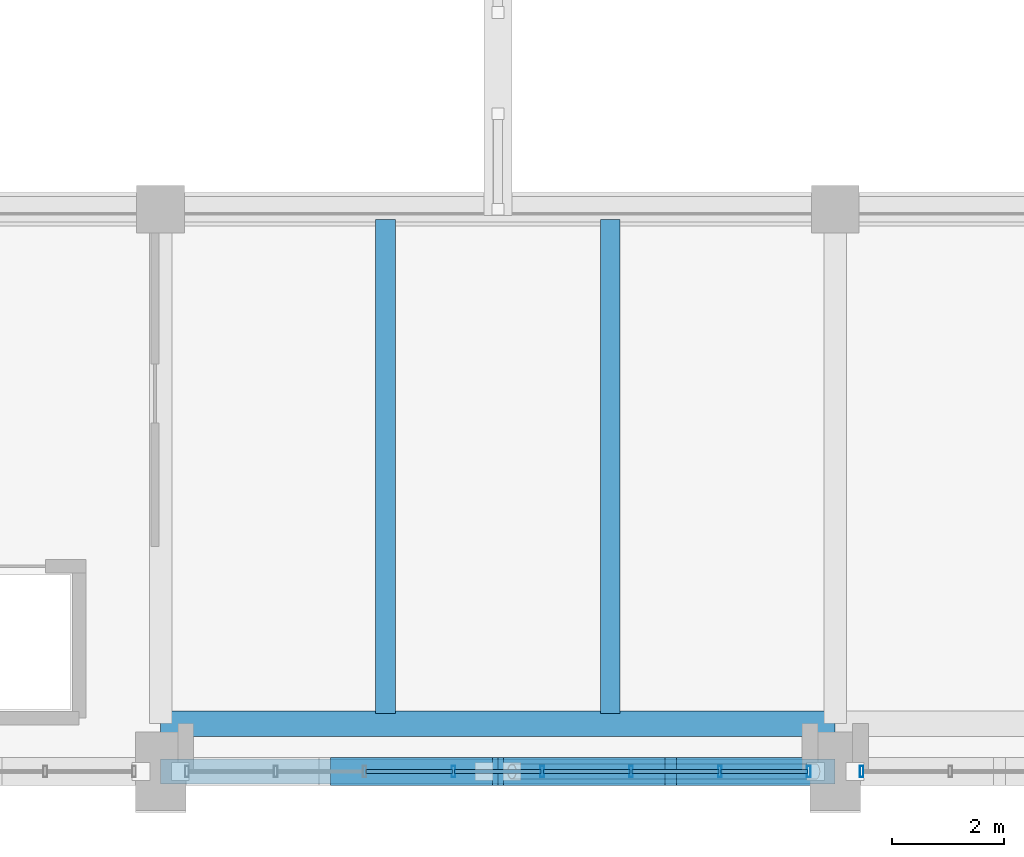
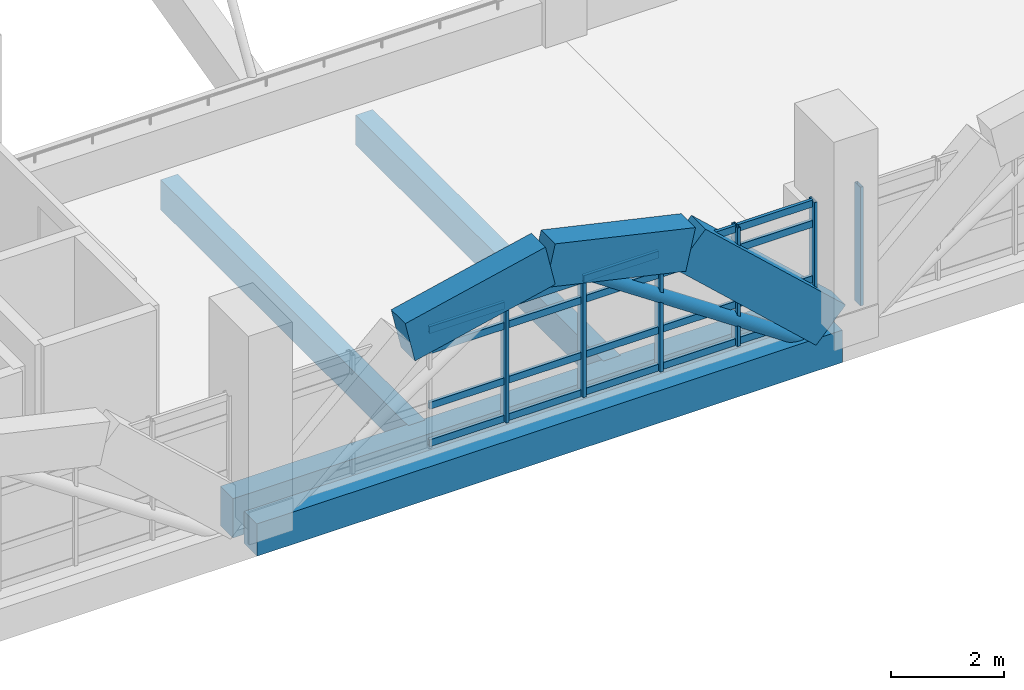
# One storey, part 12 of 161: 27 members, 7 beams, 2 elements without a shape of their own.
"""IFC4 building model written with IfcOpenShell, lengths in metres."""

from ifc_helpers import new_model, si_unit, direction, frame, origin, origin_2d, place, context, subcontext, project, spatial, rectangle, hollow_rectangle, hollow_circle, extrude, material, layer, layer_set, material_profile, profile_set, type_object, element, aggregate, save


model = new_model("IFC4")

# Units and contexts
model_context = context("Model", 3, precision=1e-05, world=origin(), true_north=direction((0.0, 1.0)))
body_context = subcontext(model_context, "Body", "Model", "MODEL_VIEW")
ifc_project = project(units=[si_unit("LENGTHUNIT", "METRE"), si_unit("AREAUNIT", "SQUARE_METRE"), si_unit("VOLUMEUNIT", "CUBIC_METRE"), si_unit("PLANEANGLEUNIT", "RADIAN"), si_unit("MASSUNIT", "GRAM", prefix="KILO")], contexts=[model_context])

# Site, building, storey
site_placement = place(None, origin())
site = spatial("IfcSite", under=ifc_project, at=site_placement, CompositionType="ELEMENT")
building_placement = place(site_placement, origin())
building = spatial("IfcBuilding", under=site, at=building_placement, Name="Mersad Railyard Sports Hall", CompositionType="ELEMENT")
storey_placement = place(building_placement, frame((0.0, 0.0, 4.800048828125)))
storey = spatial("IfcBuildingStorey", under=building, at=storey_placement, Name="L01", CompositionType="ELEMENT", Elevation=4.800048828125)

# Curtain wall, members
ifc_material_1 = material(Name="Aluminium 6063-T6", Category="aluminium")
ifc_layer = layer(ifc_material_1, 0.199951171875)
ifc_layer_set = layer_set([ifc_layer], Name="Aluminium 6063-T6")
curtain_wall_type = type_object("IfcCurtainWallType", Name="ARC-CW-CW02", PredefinedType="USERDEFINED", material=ifc_layer_set)
curtain_wall_1_placement = place(storey_placement, origin())
curtain_wall_1 = element("IfcCurtainWall", 1, at=curtain_wall_1_placement, inside=storey, type_object=curtain_wall_type, Name="Curtain wall CW02-0005", ObjectType="CURTAIN WALL", PredefinedType="USERDEFINED")
ifc_material_profile_1 = material_profile(ifc_material_1, hollow_rectangle(XDim=0.06494140625, YDim=0.199951171875, WallThickness=0.0048828125, at=origin_2d()), Name="AL MULLION 65x200x5")
ifc_profile_set_1 = profile_set([ifc_material_profile_1], Name="Aluminium 6063-T6")
member_type_1 = type_object("IfcMemberType", Name="ARC-CW-MUL02", PredefinedType="MULLION", material=ifc_profile_set_1)
member_1_placement = place(storey_placement, frame((30.530029296875, 3.5, -0.02001953125), z_axis=(0.0, 0.0, 1.0), x_axis=(1.0, 0.0, 0.0)))
member_1 = element("IfcMember", 2, at=member_1_placement, type_object=member_type_1, Name="CW02 Mullion 1", PredefinedType="MULLION", context=body_context, shape_type="SweptSolid", body=[
    extrude(hollow_rectangle(XDim=0.06494140625, YDim=0.199951171875, WallThickness=0.0048828125, at=origin_2d()), origin(), (0.0, 0.0, 1.0), 2.570068359375),
])
member_2_placement = place(storey_placement, frame((28.949951171875, 3.5, -0.02001953125), z_axis=(0.0, 0.0, 1.0), x_axis=(1.0, 0.0, 0.0)))
member_2 = element("IfcMember", 3, at=member_2_placement, type_object=member_type_1, Name="CW02 Mullion 2", PredefinedType="MULLION", context=body_context, shape_type="SweptSolid", body=[
    extrude(hollow_rectangle(XDim=0.06494140625, YDim=0.199951171875, WallThickness=0.0048828125, at=origin_2d()), origin(), (0.0, 0.0, 1.0), 2.570068359375),
])
member_3_placement = place(storey_placement, frame((27.3701171875, 3.5, -0.02001953125), z_axis=(0.0, 0.0, 1.0), x_axis=(1.0, 0.0, 0.0)))
member_3 = element("IfcMember", 4, at=member_3_placement, type_object=member_type_1, Name="CW02 Mullion 3", PredefinedType="MULLION", context=body_context, shape_type="SweptSolid", body=[
    extrude(hollow_rectangle(XDim=0.06494140625, YDim=0.199951171875, WallThickness=0.0048828125, at=origin_2d()), origin(), (0.0, 0.0, 1.0), 2.570068359375),
])
member_4_placement = place(storey_placement, frame((25.7900390625, 3.5, -0.02001953125), z_axis=(0.0, 0.0, 1.0), x_axis=(1.0, 0.0, 0.0)))
member_4 = element("IfcMember", 5, at=member_4_placement, type_object=member_type_1, Name="CW02 Mullion 4", PredefinedType="MULLION", context=body_context, shape_type="SweptSolid", body=[
    extrude(hollow_rectangle(XDim=0.06494140625, YDim=0.199951171875, WallThickness=0.0048828125, at=origin_2d()), origin(), (0.0, 0.0, 1.0), 2.570068359375),
])
member_5_placement = place(storey_placement, frame((24.2099609375, 3.5, -0.02001953125), z_axis=(0.0, 0.0, 1.0), x_axis=(1.0, 0.0, 0.0)))
member_5 = element("IfcMember", 6, at=member_5_placement, type_object=member_type_1, Name="CW02 Mullion 5", PredefinedType="MULLION", context=body_context, shape_type="SweptSolid", body=[
    extrude(hollow_rectangle(XDim=0.06494140625, YDim=0.199951171875, WallThickness=0.0048828125, at=origin_2d()), origin(), (0.0, 0.0, 1.0), 2.570068359375),
])

# Curtain wall, member
curtain_wall_2_placement = place(storey_placement, origin())
curtain_wall_2 = element("IfcCurtainWall", 7, at=curtain_wall_2_placement, inside=storey, type_object=curtain_wall_type, Name="Curtain wall CW02-0008", ObjectType="CURTAIN WALL", PredefinedType="USERDEFINED")
member_6_placement = place(storey_placement, frame((31.469970703125, 3.5, -0.02001953125), z_axis=(0.0, 0.0, 1.0), x_axis=(1.0, 0.0, 0.0)))
member_6 = element("IfcMember", 8, at=member_6_placement, type_object=member_type_1, Name="CW02 Mullion 8", PredefinedType="MULLION", context=body_context, shape_type="SweptSolid", body=[
    extrude(hollow_rectangle(XDim=0.06494140625, YDim=0.199951171875, WallThickness=0.0048828125, at=origin_2d()), origin(), (0.0, 0.0, 1.0), 2.570068359375),
])
aggregate(curtain_wall_2, [member_6])

# Member
ifc_material_profile_2 = material_profile(ifc_material_1, hollow_rectangle(XDim=0.06494140625, YDim=0.14990234375, WallThickness=0.00439453125, at=origin_2d()), Name="AL TRANSOM 65x150x4.5")
ifc_profile_set_2 = profile_set([ifc_material_profile_2], Name="Aluminium 6063-T6")
member_type_2 = type_object("IfcMemberType", Name="ARC-CW-TRN02", PredefinedType="USERDEFINED", material=ifc_profile_set_2)
member_7_placement = place(storey_placement, frame((30.510009765625, 3.5, 0.0400390625), z_axis=(-1.0, 0.0, 0.0), x_axis=(0.0, -1.0, 0.0)))
member_7 = element("IfcMember", 9, at=member_7_placement, type_object=member_type_2, Name="CW02 Transom 1-1", ObjectType="TRANSOM", PredefinedType="USERDEFINED", context=body_context, shape_type="SweptSolid", body=[
    extrude(hollow_rectangle(XDim=0.06494140625, YDim=0.14990234375, WallThickness=0.00439453125, at=origin_2d()), origin(), (0.0, 0.0, 1.0), 1.5400390625),
])

member_8_placement = place(storey_placement, frame((28.929931640625, 3.5, 0.0400390625), z_axis=(-1.0, 0.0, 0.0), x_axis=(0.0, -1.0, 0.0)))
member_8 = element("IfcMember", 10, at=member_8_placement, type_object=member_type_2, Name="CW02 Transom 1-2", ObjectType="TRANSOM", PredefinedType="USERDEFINED", context=body_context, shape_type="SweptSolid", body=[
    extrude(hollow_rectangle(XDim=0.06494140625, YDim=0.14990234375, WallThickness=0.00439453125, at=origin_2d()), origin(), (0.0, 0.0, 1.0), 1.5400390625),
])

member_9_placement = place(storey_placement, frame((27.35009765625, 3.5, 0.0400390625), z_axis=(-1.0, 0.0, 0.0), x_axis=(0.0, -1.0, 0.0)))
member_9 = element("IfcMember", 11, at=member_9_placement, type_object=member_type_2, Name="CW02 Transom 1-3", ObjectType="TRANSOM", PredefinedType="USERDEFINED", context=body_context, shape_type="SweptSolid", body=[
    extrude(hollow_rectangle(XDim=0.06494140625, YDim=0.14990234375, WallThickness=0.00439453125, at=origin_2d()), origin(), (0.0, 0.0, 1.0), 1.5400390625),
])

member_10_placement = place(storey_placement, frame((25.77001953125, 3.5, 0.0400390625), z_axis=(-1.0, 0.0, 0.0), x_axis=(0.0, -1.0, 0.0)))
member_10 = element("IfcMember", 12, at=member_10_placement, type_object=member_type_2, Name="CW02 Transom 1-4", ObjectType="TRANSOM", PredefinedType="USERDEFINED", context=body_context, shape_type="SweptSolid", body=[
    extrude(hollow_rectangle(XDim=0.06494140625, YDim=0.14990234375, WallThickness=0.00439453125, at=origin_2d()), origin(), (0.0, 0.0, 1.0), 1.5400390625),
])

member_11_placement = place(storey_placement, frame((24.18994140625, 3.5, 0.0400390625), z_axis=(-1.0, 0.0, 0.0), x_axis=(0.0, -1.0, 0.0)))
member_11 = element("IfcMember", 13, at=member_11_placement, type_object=member_type_2, Name="CW02 Transom 1-5", ObjectType="TRANSOM", PredefinedType="USERDEFINED", context=body_context, shape_type="SweptSolid", body=[
    extrude(hollow_rectangle(XDim=0.06494140625, YDim=0.14990234375, WallThickness=0.00439453125, at=origin_2d()), origin(), (0.0, 0.0, 1.0), 1.5400390625),
])

member_12_placement = place(storey_placement, frame((30.510009765625, 3.5, 0.849853515625), z_axis=(-1.0, 0.0, 0.0), x_axis=(0.0, -1.0, 0.0)))
member_12 = element("IfcMember", 14, at=member_12_placement, type_object=member_type_2, Name="CW02 Transom 2-1", ObjectType="TRANSOM", PredefinedType="USERDEFINED", context=body_context, shape_type="SweptSolid", body=[
    extrude(hollow_rectangle(XDim=0.06494140625, YDim=0.14990234375, WallThickness=0.00439453125, at=origin_2d()), origin(), (0.0, 0.0, 1.0), 1.5400390625),
])

member_13_placement = place(storey_placement, frame((28.929931640625, 3.5, 0.849853515625), z_axis=(-1.0, 0.0, 0.0), x_axis=(0.0, -1.0, 0.0)))
member_13 = element("IfcMember", 15, at=member_13_placement, type_object=member_type_2, Name="CW02 Transom 2-2", ObjectType="TRANSOM", PredefinedType="USERDEFINED", context=body_context, shape_type="SweptSolid", body=[
    extrude(hollow_rectangle(XDim=0.06494140625, YDim=0.14990234375, WallThickness=0.00439453125, at=origin_2d()), origin(), (0.0, 0.0, 1.0), 1.5400390625),
])

member_14_placement = place(storey_placement, frame((27.35009765625, 3.5, 0.849853515625), z_axis=(-1.0, 0.0, 0.0), x_axis=(0.0, -1.0, 0.0)))
member_14 = element("IfcMember", 16, at=member_14_placement, type_object=member_type_2, Name="CW02 Transom 2-3", ObjectType="TRANSOM", PredefinedType="USERDEFINED", context=body_context, shape_type="SweptSolid", body=[
    extrude(hollow_rectangle(XDim=0.06494140625, YDim=0.14990234375, WallThickness=0.00439453125, at=origin_2d()), origin(), (0.0, 0.0, 1.0), 1.5400390625),
])

member_15_placement = place(storey_placement, frame((25.77001953125, 3.5, 0.849853515625), z_axis=(-1.0, 0.0, 0.0), x_axis=(0.0, -1.0, 0.0)))
member_15 = element("IfcMember", 17, at=member_15_placement, type_object=member_type_2, Name="CW02 Transom 2-4", ObjectType="TRANSOM", PredefinedType="USERDEFINED", context=body_context, shape_type="SweptSolid", body=[
    extrude(hollow_rectangle(XDim=0.06494140625, YDim=0.14990234375, WallThickness=0.00439453125, at=origin_2d()), origin(), (0.0, 0.0, 1.0), 1.5400390625),
])

member_16_placement = place(storey_placement, frame((24.18994140625, 3.5, 0.849853515625), z_axis=(-1.0, 0.0, 0.0), x_axis=(0.0, -1.0, 0.0)))
member_16 = element("IfcMember", 18, at=member_16_placement, type_object=member_type_2, Name="CW02 Transom 2-5", ObjectType="TRANSOM", PredefinedType="USERDEFINED", context=body_context, shape_type="SweptSolid", body=[
    extrude(hollow_rectangle(XDim=0.06494140625, YDim=0.14990234375, WallThickness=0.00439453125, at=origin_2d()), origin(), (0.0, 0.0, 1.0), 1.5400390625),
])

member_17_placement = place(storey_placement, frame((30.510009765625, 3.5, 2.050048828125), z_axis=(-1.0, 0.0, 0.0), x_axis=(0.0, -1.0, 0.0)))
member_17 = element("IfcMember", 19, at=member_17_placement, type_object=member_type_2, Name="CW02 Transom 3-1", ObjectType="TRANSOM", PredefinedType="USERDEFINED", context=body_context, shape_type="SweptSolid", body=[
    extrude(hollow_rectangle(XDim=0.06494140625, YDim=0.14990234375, WallThickness=0.00439453125, at=origin_2d()), origin(), (0.0, 0.0, 1.0), 1.5400390625),
])

member_18_placement = place(storey_placement, frame((28.929931640625, 3.5, 2.050048828125), z_axis=(-1.0, 0.0, 0.0), x_axis=(0.0, -1.0, 0.0)))
member_18 = element("IfcMember", 20, at=member_18_placement, type_object=member_type_2, Name="CW02 Transom 3-2", ObjectType="TRANSOM", PredefinedType="USERDEFINED", context=body_context, shape_type="SweptSolid", body=[
    extrude(hollow_rectangle(XDim=0.06494140625, YDim=0.14990234375, WallThickness=0.00439453125, at=origin_2d()), origin(), (0.0, 0.0, 1.0), 1.5400390625),
])

member_19_placement = place(storey_placement, frame((27.35009765625, 3.5, 2.050048828125), z_axis=(-1.0, 0.0, 0.0), x_axis=(0.0, -1.0, 0.0)))
member_19 = element("IfcMember", 21, at=member_19_placement, type_object=member_type_2, Name="CW02 Transom 3-3", ObjectType="TRANSOM", PredefinedType="USERDEFINED", context=body_context, shape_type="SweptSolid", body=[
    extrude(hollow_rectangle(XDim=0.06494140625, YDim=0.14990234375, WallThickness=0.00439453125, at=origin_2d()), origin(), (0.0, 0.0, 1.0), 1.5400390625),
])

member_20_placement = place(storey_placement, frame((25.77001953125, 3.5, 2.050048828125), z_axis=(-1.0, 0.0, 0.0), x_axis=(0.0, -1.0, 0.0)))
member_20 = element("IfcMember", 22, at=member_20_placement, type_object=member_type_2, Name="CW02 Transom 3-4", ObjectType="TRANSOM", PredefinedType="USERDEFINED", context=body_context, shape_type="SweptSolid", body=[
    extrude(hollow_rectangle(XDim=0.06494140625, YDim=0.14990234375, WallThickness=0.00439453125, at=origin_2d()), origin(), (0.0, 0.0, 1.0), 1.5400390625),
])

member_21_placement = place(storey_placement, frame((24.18994140625, 3.5, 2.050048828125), z_axis=(-1.0, 0.0, 0.0), x_axis=(0.0, -1.0, 0.0)))
member_21 = element("IfcMember", 23, at=member_21_placement, type_object=member_type_2, Name="CW02 Transom 3-5", ObjectType="TRANSOM", PredefinedType="USERDEFINED", context=body_context, shape_type="SweptSolid", body=[
    extrude(hollow_rectangle(XDim=0.06494140625, YDim=0.14990234375, WallThickness=0.00439453125, at=origin_2d()), origin(), (0.0, 0.0, 1.0), 1.5400390625),
])

member_22_placement = place(storey_placement, frame((30.510009765625, 3.5, 2.489990234375), z_axis=(-1.0, 0.0, 0.0), x_axis=(0.0, -1.0, 0.0)))
member_22 = element("IfcMember", 24, at=member_22_placement, type_object=member_type_2, Name="CW02 Transom 4-1", ObjectType="TRANSOM", PredefinedType="USERDEFINED", context=body_context, shape_type="SweptSolid", body=[
    extrude(hollow_rectangle(XDim=0.06494140625, YDim=0.14990234375, WallThickness=0.00439453125, at=origin_2d()), origin(), (0.0, 0.0, 1.0), 1.5400390625),
])

member_23_placement = place(storey_placement, frame((28.929931640625, 3.5, 2.489990234375), z_axis=(-1.0, 0.0, 0.0), x_axis=(0.0, -1.0, 0.0)))
member_23 = element("IfcMember", 25, at=member_23_placement, type_object=member_type_2, Name="CW02 Transom 4-2", ObjectType="TRANSOM", PredefinedType="USERDEFINED", context=body_context, shape_type="SweptSolid", body=[
    extrude(hollow_rectangle(XDim=0.06494140625, YDim=0.14990234375, WallThickness=0.00439453125, at=origin_2d()), origin(), (0.0, 0.0, 1.0), 1.5400390625),
])

member_24_placement = place(storey_placement, frame((27.35009765625, 3.5, 2.489990234375), z_axis=(-1.0, 0.0, 0.0), x_axis=(0.0, -1.0, 0.0)))
member_24 = element("IfcMember", 26, at=member_24_placement, type_object=member_type_2, Name="CW02 Transom 4-3", ObjectType="TRANSOM", PredefinedType="USERDEFINED", context=body_context, shape_type="SweptSolid", body=[
    extrude(hollow_rectangle(XDim=0.06494140625, YDim=0.14990234375, WallThickness=0.00439453125, at=origin_2d()), origin(), (0.0, 0.0, 1.0), 1.5400390625),
])

member_25_placement = place(storey_placement, frame((25.77001953125, 3.5, 2.489990234375), z_axis=(-1.0, 0.0, 0.0), x_axis=(0.0, -1.0, 0.0)))
member_25 = element("IfcMember", 27, at=member_25_placement, type_object=member_type_2, Name="CW02 Transom 4-4", ObjectType="TRANSOM", PredefinedType="USERDEFINED", context=body_context, shape_type="SweptSolid", body=[
    extrude(hollow_rectangle(XDim=0.06494140625, YDim=0.14990234375, WallThickness=0.00439453125, at=origin_2d()), origin(), (0.0, 0.0, 1.0), 1.5400390625),
])

member_26_placement = place(storey_placement, frame((24.18994140625, 3.5, 2.489990234375), z_axis=(-1.0, 0.0, 0.0), x_axis=(0.0, -1.0, 0.0)))
member_26 = element("IfcMember", 28, at=member_26_placement, type_object=member_type_2, Name="CW02 Transom 4-5", ObjectType="TRANSOM", PredefinedType="USERDEFINED", context=body_context, shape_type="SweptSolid", body=[
    extrude(hollow_rectangle(XDim=0.06494140625, YDim=0.14990234375, WallThickness=0.00439453125, at=origin_2d()), origin(), (0.0, 0.0, 1.0), 1.5400390625),
])

aggregate(curtain_wall_1, [member_1, member_2, member_3, member_4, member_5, member_7, member_8, member_9, member_10, member_11, member_12, member_13, member_14, member_15, member_16, member_17, member_18, member_19, member_20, member_21, member_22, member_23, member_24, member_25, member_26])

# Beams
ifc_material_2 = material(Name="Concrete C40/50", Category="concrete")
ifc_material_profile_3 = material_profile(ifc_material_2, rectangle(XDim=0.449951171875, YDim=0.85009765625, at=origin_2d()), Name="RC 450x850")
ifc_profile_set_3 = profile_set([ifc_material_profile_3], Name="Concrete C40/50")
beam_type_1 = type_object("IfcBeamType", Name="STR-BM-B02", PredefinedType="BEAM", material=ifc_profile_set_3)
beam_1_placement = place(storey_placement, frame((19.0, 4.35009765625, -0.705078125), z_axis=(1.0, 0.0, 0.0), x_axis=(0.0, 1.0, 0.0)))
element("IfcBeam", 29, at=beam_1_placement, inside=storey, type_object=beam_type_1, Name="Beam B02-0284", PredefinedType="BEAM", context=body_context, shape_type="SweptSolid", body=[
    extrude(rectangle(XDim=0.449951171875, YDim=0.85009765625, at=origin_2d()), origin(), (0.0, 0.0, 1.0), 12.0),
])
ifc_material_profile_4 = material_profile(ifc_material_2, rectangle(XDim=0.35009765625, YDim=0.64990234375, at=origin_2d()), Name="RC 350x650")
ifc_profile_set_4 = profile_set([ifc_material_profile_4], Name="Concrete C40/50")
beam_type_2 = type_object("IfcBeamType", Name="STR-BM-J01", PredefinedType="JOIST", material=ifc_profile_set_4)
for number, where, z_axis, x_axis, name in (
    (30, (23.0, 4.530029296875, -0.60498046875), (0.0, 1.0, 0.0), (-1.0, 0.0, 0.0), "Beam J01-0394"),
    (31, (27.0, 4.530029296875, -0.60498046875), (0.0, 1.0, 0.0), (-1.0, 0.0, 0.0), "Beam J01-0395"),
):
    element("IfcBeam", number, at=place(storey_placement, frame(where, z_axis=z_axis, x_axis=x_axis)), inside=storey, type_object=beam_type_2, Name=name, PredefinedType="JOIST", context=body_context, shape_type="SweptSolid", body=[
        extrude(rectangle(XDim=0.35009765625, YDim=0.64990234375, at=origin_2d()), origin(), (0.0, 0.0, 1.0), 8.7900390625),
    ])
ifc_material_3 = material(Name="Architectural concrete C40/50", Category="concrete")
ifc_material_profile_5 = material_profile(ifc_material_3, rectangle(XDim=0.449951171875, YDim=0.699951171875, at=origin_2d()), Name="RC 450x700")
ifc_profile_set_5 = profile_set([ifc_material_profile_5], Name="Architectural concrete C40/50")
beam_type_3 = type_object("IfcBeamType", Name="STR-BM-SP01", PredefinedType="SPANDREL", material=ifc_profile_set_5)
beam_2_placement = place(storey_placement, frame((19.0, 3.5, -0.66015625), z_axis=(1.0, 0.0, 0.0), x_axis=(0.0, 1.0, 0.0)))
element("IfcBeam", 32, at=beam_2_placement, inside=storey, type_object=beam_type_3, Name="Beam SP01-0334", PredefinedType="SPANDREL", context=body_context, shape_type="SweptSolid", body=[
    extrude(rectangle(XDim=0.449951171875, YDim=0.699951171875, at=origin_2d()), origin(), (0.0, 0.0, 1.0), 12.0),
])
ifc_material_4 = material(Name="Architectural concrete C50/60", Category="concrete")
ifc_material_profile_6 = material_profile(ifc_material_4, rectangle(XDim=0.5, YDim=0.89990234375, at=origin_2d()), Name="VR 500x900")
ifc_profile_set_6 = profile_set([ifc_material_profile_6], Name="Architectural concrete C50/60")
beam_type_4 = type_object("IfcBeamType", Name="STR-BM-VR02", PredefinedType="BEAM", material=ifc_profile_set_6)
for number, where, z_axis, x_axis, name in (
    (33, (22.125, 3.5, 2.54736328125), (0.97519301708, 0.0, 0.221356227467), (0.0, 1.0, 0.0), "Beam VR02-0338"),
    (34, (25.0, 3.5, 3.199951171875), (0.97519301708, 0.0, -0.221356227467), (0.0, 1.0, 0.0), "Beam VR02-0340"),
):
    element("IfcBeam", number, at=place(storey_placement, frame(where, z_axis=z_axis, x_axis=x_axis)), inside=storey, type_object=beam_type_4, Name=name, PredefinedType="BEAM", context=body_context, shape_type="SweptSolid", body=[
        extrude(rectangle(XDim=0.5, YDim=0.89990234375, at=origin_2d()), origin(), (0.0, 0.0, 1.0), 2.9482421875),
    ])
beam_3_placement = place(storey_placement, frame((27.875, 3.5, 2.54736328125), z_axis=(0.735617187873, 0.0, -0.677397485164), x_axis=(0.0, 1.0, 0.0)))
element("IfcBeam", 35, at=beam_3_placement, inside=storey, type_object=beam_type_4, Name="Beam VR02-0342", PredefinedType="BEAM", context=body_context, shape_type="SweptSolid", body=[
    extrude(rectangle(XDim=0.5, YDim=0.89990234375, at=origin_2d()), origin(), (0.0, 0.0, 1.0), 3.908203125),
])

# Member
ifc_material_5 = material(Name="Steel S355", Category="steel")
ifc_material_profile_7 = material_profile(ifc_material_5, hollow_circle(Radius=0.136474609375, WallThickness=0.012451171875, at=origin_2d()), Name="CHS 273x12.5")
ifc_profile_set_7 = profile_set([ifc_material_profile_7], Name="Steel S355")
member_type_3 = type_object("IfcMemberType", Name="STR-MEM-BR02", PredefinedType="BRACE", material=ifc_profile_set_7)
member_27_placement = place(storey_placement, frame((30.64990234375, 3.5, -0.6201171875), z_axis=(-0.829190125257, 0.0, 0.558966668215), x_axis=(0.0, -1.0, 0.0)))
element("IfcMember", 36, at=member_27_placement, inside=storey, type_object=member_type_3, Name="Structural member BR02-0006", PredefinedType="BRACE", context=body_context, shape_type="SweptSolid", body=[
    extrude(hollow_circle(Radius=0.136474609375, WallThickness=0.012451171875, at=origin_2d()), origin(), (0.0, 0.0, 1.0), 6.51220703125),
])

save(model, "model.ifc")
